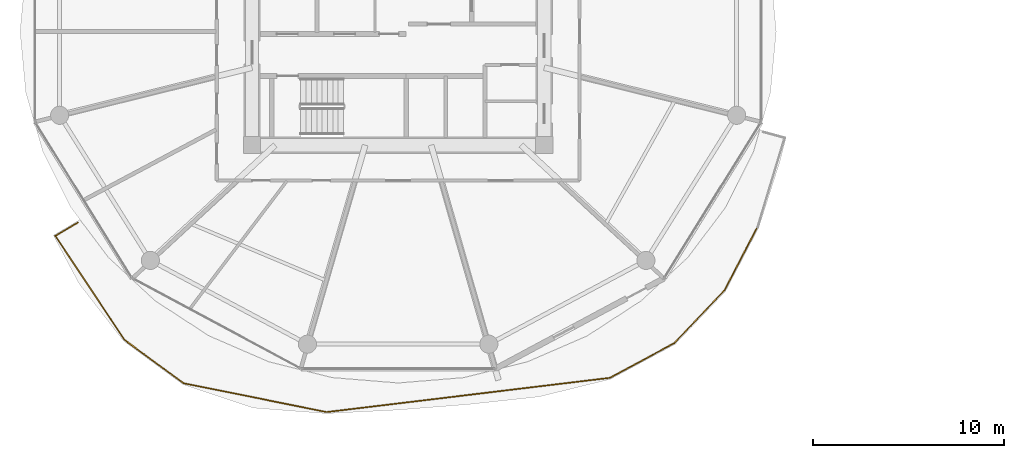
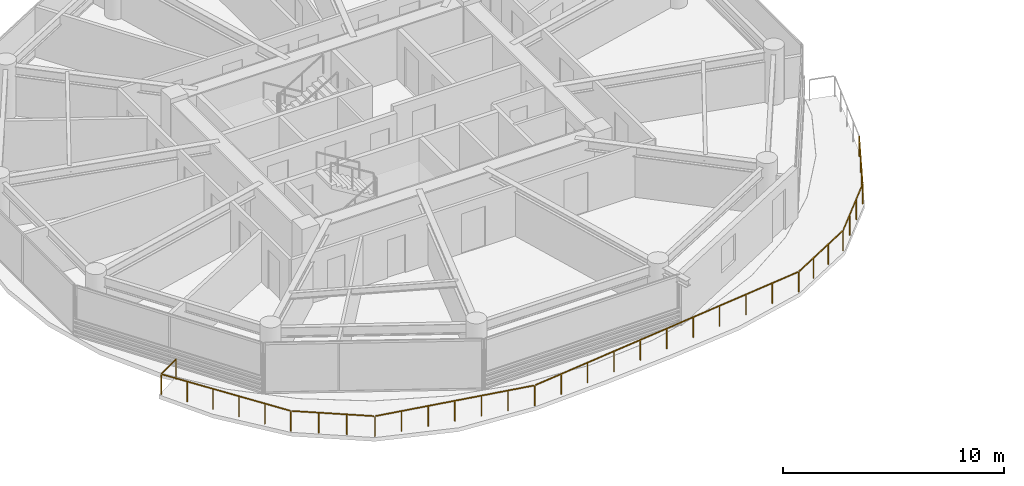
# One storey, part 22 of 26: 1 railing.
"""IFC4 building model written with IfcOpenShell, lengths in metres."""

from ifc_helpers import new_model, si_unit, direction, frame, origin, origin_2d, place, context, subcontext, project, spatial, rectangle, extrude, material, type_object, element, save


model = new_model("IFC4")

# Units and contexts
model_context = context("Model", 3, precision=1e-05, world=origin(), true_north=direction((0.0, 1.0)))
body_context = subcontext(model_context, "Body", "Model", "MODEL_VIEW")
ifc_project = project(units=[si_unit("LENGTHUNIT", "METRE"), si_unit("AREAUNIT", "SQUARE_METRE"), si_unit("VOLUMEUNIT", "CUBIC_METRE"), si_unit("PLANEANGLEUNIT", "RADIAN"), si_unit("MASSUNIT", "GRAM", prefix="KILO")], contexts=[model_context])

# Site, building, storey
site_placement = place(None, origin())
site = spatial("IfcSite", under=ifc_project, at=site_placement, CompositionType="ELEMENT")
building_placement = place(site_placement, origin())
building = spatial("IfcBuilding", under=site, at=building_placement, Name="Norrkilde Senior Care Towers", CompositionType="ELEMENT")
storey_placement = place(building_placement, frame((0.0, 0.0, 55.14990234375)))
storey = spatial("IfcBuildingStorey", under=building, at=storey_placement, Name="L16", CompositionType="ELEMENT", Elevation=55.14990234375)

# Railing
ifc_material = material(Name="Anodised Aluminium", Category="aluminium")
railing_type = type_object("IfcRailingType", Name="Balcony Swirl Ribbon Guardrail 1150", PredefinedType="GUARDRAIL", material=ifc_material)
railing_placement = place(storey_placement, frame((-9.190673828125, -10.247802734375, 0.0)))
element("IfcRailing", 1, at=railing_placement, inside=storey, type_object=railing_type, Name="L16 Perimeter Safety Guard 03", PredefinedType="GUARDRAIL", context=body_context, shape_type="SweptSolid", body=[
    extrude(rectangle(XDim=0.048095703125, YDim=0.048095703125, at=origin_2d()), frame((0.0, 0.0, 1.1259765625), z_axis=(-0.462545937602, -0.886595316707, 0.0), x_axis=(0.886595316707, -0.462545937602, 0.0)), (0.0, 0.0, 1.0), 3.700927734375),
    extrude(rectangle(XDim=0.048095703125, YDim=0.048095703125, at=origin_2d()), frame((-1.7587890625, -3.346923828125, 1.1259765625), z_axis=(-0.689438443355, -0.72434427783, 0.0), x_axis=(0.72434427783, -0.689438443355, 0.0)), (0.0, 0.0, 1.0), 3.716064453125),
    extrude(rectangle(XDim=0.048095703125, YDim=0.048095703125, at=origin_2d()), frame((-4.385009765625, -6.087646484375, 1.1259765625), z_axis=(-0.880118622237, -0.474753842314, 0.0), x_axis=(0.474753842314, -0.880118622237, 0.0)), (0.0, 0.0, 1.0), 3.746337890625),
    extrude(rectangle(XDim=0.048095703125, YDim=0.048095703125, at=origin_2d()), frame((-7.7587890625, -7.890625, 1.1259765625), z_axis=(-0.992777710836, -0.119968399453, 0.0), x_axis=(0.119968399453, -0.992777710836, 0.0)), (0.0, 0.0, 1.0), 14.863525390625),
    extrude(rectangle(XDim=0.048095703125, YDim=0.048095703125, at=origin_2d()), frame((-22.595703125, -9.670654296875, 1.1259765625), z_axis=(-0.980205101834, 0.197984742691, 0.0), x_axis=(-0.197984742691, -0.980205101834, 0.0)), (0.0, 0.0, 1.0), 7.554931640625),
    extrude(rectangle(XDim=0.048095703125, YDim=0.048095703125, at=origin_2d()), frame((-30.07421875, -8.142578125, 1.1259765625), z_axis=(-0.806759670863, 0.590879711506, 0.0), x_axis=(-0.590879711506, -0.806759670863, 0.0)), (0.0, 0.0, 1.0), 3.746337890625),
    extrude(rectangle(XDim=0.048095703125, YDim=0.048095703125, at=origin_2d()), frame((-33.15234375, -5.870849609375, 1.1259765625), z_axis=(-0.554356070464, 0.832279608749, 0.0), x_axis=(-0.832279608749, -0.554356070464, 0.0)), (0.0, 0.0, 1.0), 6.468017578125),
    extrude(rectangle(XDim=0.048095703125, YDim=0.048095703125, at=origin_2d()), frame((-36.725341796875, -0.432861328125, 1.1259765625), z_axis=(0.860891159396, 0.508789162301, 0.0), x_axis=(-0.508789162301, 0.860891159396, 0.0)), (0.0, 0.0, 1.0), 1.33349609375),
    extrude(rectangle(XDim=0.0419921875, YDim=0.0419921875, at=origin_2d()), origin(), (0.0, 0.0, 1.0), 1.099853515625),
    extrude(rectangle(XDim=0.0419921875, YDim=0.0419921875, at=origin_2d()), frame((-0.576904296875, -1.105712890625, 0.0)), (0.0, 0.0, 1.0), 1.099853515625),
    extrude(rectangle(XDim=0.0419921875, YDim=0.0419921875, at=origin_2d()), frame((-1.15380859375, -2.211669921875, 0.0)), (0.0, 0.0, 1.0), 1.099853515625),
    extrude(rectangle(XDim=0.0419921875, YDim=0.0419921875, at=origin_2d()), frame((-1.730712890625, -3.3173828125, 0.0)), (0.0, 0.0, 1.0), 1.099853515625),
    extrude(rectangle(XDim=0.0419921875, YDim=0.0419921875, at=origin_2d()), frame((-2.603515625, -4.234375, 0.0)), (0.0, 0.0, 1.0), 1.099853515625),
    extrude(rectangle(XDim=0.0419921875, YDim=0.0419921875, at=origin_2d()), frame((-3.476318359375, -5.1513671875, 0.0)), (0.0, 0.0, 1.0), 1.099853515625),
    extrude(rectangle(XDim=0.0419921875, YDim=0.0419921875, at=origin_2d()), frame((-4.34912109375, -6.068359375, 0.0)), (0.0, 0.0, 1.0), 1.099853515625),
    extrude(rectangle(XDim=0.0419921875, YDim=0.0419921875, at=origin_2d()), frame((-5.47216796875, -6.674072265625, 0.0)), (0.0, 0.0, 1.0), 1.099853515625),
    extrude(rectangle(XDim=0.0419921875, YDim=0.0419921875, at=origin_2d()), frame((-6.59521484375, -7.280029296875, 0.0)), (0.0, 0.0, 1.0), 1.099853515625),
    extrude(rectangle(XDim=0.0419921875, YDim=0.0419921875, at=origin_2d()), frame((-7.71826171875, -7.8857421875, 0.0)), (0.0, 0.0, 1.0), 1.099853515625),
    extrude(rectangle(XDim=0.0419921875, YDim=0.0419921875, at=origin_2d()), frame((-9.201904296875, -8.06494140625, 0.0)), (0.0, 0.0, 1.0), 1.099853515625),
    extrude(rectangle(XDim=0.0419921875, YDim=0.0419921875, at=origin_2d()), frame((-10.685791015625, -8.244384765625, 0.0)), (0.0, 0.0, 1.0), 1.099853515625),
    extrude(rectangle(XDim=0.0419921875, YDim=0.0419921875, at=origin_2d()), frame((-12.16943359375, -8.423583984375, 0.0)), (0.0, 0.0, 1.0), 1.099853515625),
    extrude(rectangle(XDim=0.0419921875, YDim=0.0419921875, at=origin_2d()), frame((-13.6533203125, -8.60302734375, 0.0)), (0.0, 0.0, 1.0), 1.099853515625),
    extrude(rectangle(XDim=0.0419921875, YDim=0.0419921875, at=origin_2d()), frame((-15.136962890625, -8.7822265625, 0.0)), (0.0, 0.0, 1.0), 1.099853515625),
    extrude(rectangle(XDim=0.0419921875, YDim=0.0419921875, at=origin_2d()), frame((-16.62060546875, -8.96142578125, 0.0)), (0.0, 0.0, 1.0), 1.099853515625),
    extrude(rectangle(XDim=0.0419921875, YDim=0.0419921875, at=origin_2d()), frame((-18.1044921875, -9.140869140625, 0.0)), (0.0, 0.0, 1.0), 1.099853515625),
    extrude(rectangle(XDim=0.0419921875, YDim=0.0419921875, at=origin_2d()), frame((-19.588134765625, -9.320068359375, 0.0)), (0.0, 0.0, 1.0), 1.099853515625),
    extrude(rectangle(XDim=0.0419921875, YDim=0.0419921875, at=origin_2d()), frame((-21.072021484375, -9.49951171875, 0.0)), (0.0, 0.0, 1.0), 1.099853515625),
    extrude(rectangle(XDim=0.0419921875, YDim=0.0419921875, at=origin_2d()), frame((-22.5556640625, -9.6787109375, 0.0)), (0.0, 0.0, 1.0), 1.099853515625),
    extrude(rectangle(XDim=0.0419921875, YDim=0.0419921875, at=origin_2d()), frame((-23.80322265625, -9.4267578125, 0.0)), (0.0, 0.0, 1.0), 1.099853515625),
    extrude(rectangle(XDim=0.0419921875, YDim=0.0419921875, at=origin_2d()), frame((-25.05078125, -9.1748046875, 0.0)), (0.0, 0.0, 1.0), 1.099853515625),
    extrude(rectangle(XDim=0.0419921875, YDim=0.0419921875, at=origin_2d()), frame((-26.29833984375, -8.9228515625, 0.0)), (0.0, 0.0, 1.0), 1.099853515625),
    extrude(rectangle(XDim=0.0419921875, YDim=0.0419921875, at=origin_2d()), frame((-27.546142578125, -8.670654296875, 0.0)), (0.0, 0.0, 1.0), 1.099853515625),
    extrude(rectangle(XDim=0.0419921875, YDim=0.0419921875, at=origin_2d()), frame((-28.793701171875, -8.418701171875, 0.0)), (0.0, 0.0, 1.0), 1.099853515625),
    extrude(rectangle(XDim=0.0419921875, YDim=0.0419921875, at=origin_2d()), frame((-30.041259765625, -8.166748046875, 0.0)), (0.0, 0.0, 1.0), 1.099853515625),
    extrude(rectangle(XDim=0.0419921875, YDim=0.0419921875, at=origin_2d()), frame((-31.07080078125, -7.412841796875, 0.0)), (0.0, 0.0, 1.0), 1.099853515625),
    extrude(rectangle(XDim=0.0419921875, YDim=0.0419921875, at=origin_2d()), frame((-32.10009765625, -6.65869140625, 0.0)), (0.0, 0.0, 1.0), 1.099853515625),
    extrude(rectangle(XDim=0.0419921875, YDim=0.0419921875, at=origin_2d()), frame((-33.129638671875, -5.90478515625, 0.0)), (0.0, 0.0, 1.0), 1.099853515625),
    extrude(rectangle(XDim=0.0419921875, YDim=0.0419921875, at=origin_2d()), frame((-33.855712890625, -4.814453125, 0.0)), (0.0, 0.0, 1.0), 1.099853515625),
    extrude(rectangle(XDim=0.0419921875, YDim=0.0419921875, at=origin_2d()), frame((-34.58203125, -3.724365234375, 0.0)), (0.0, 0.0, 1.0), 1.099853515625),
    extrude(rectangle(XDim=0.0419921875, YDim=0.0419921875, at=origin_2d()), frame((-35.30810546875, -2.634033203125, 0.0)), (0.0, 0.0, 1.0), 1.099853515625),
    extrude(rectangle(XDim=0.0419921875, YDim=0.0419921875, at=origin_2d()), frame((-36.034423828125, -1.5439453125, 0.0)), (0.0, 0.0, 1.0), 1.099853515625),
    extrude(rectangle(XDim=0.0419921875, YDim=0.0419921875, at=origin_2d()), frame((-36.760498046875, -0.45361328125, 0.0)), (0.0, 0.0, 1.0), 1.099853515625),
    extrude(rectangle(XDim=0.0419921875, YDim=0.0419921875, at=origin_2d()), frame((-35.577392578125, 0.24560546875, 0.0)), (0.0, 0.0, 1.0), 1.099853515625),
])

save(model, "model.ifc")
